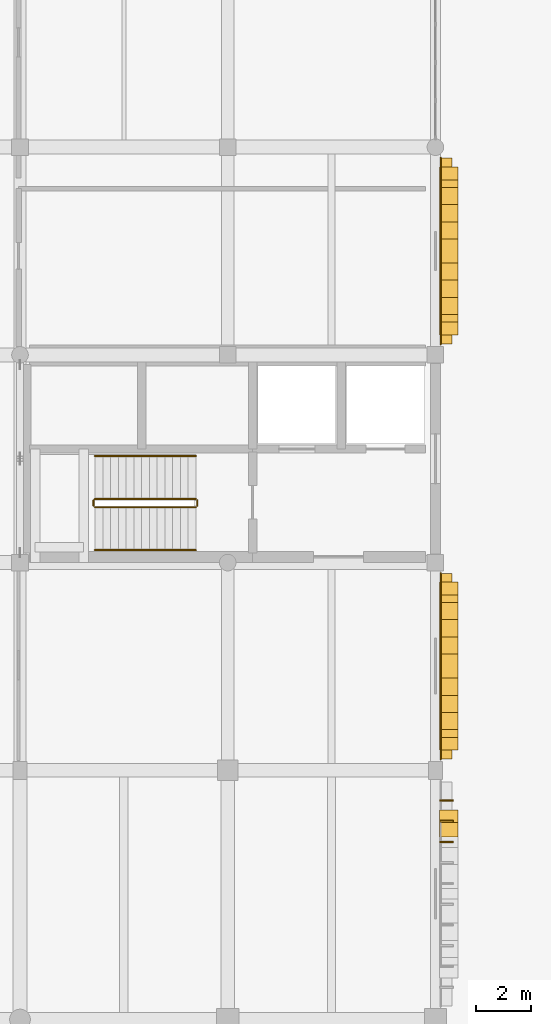
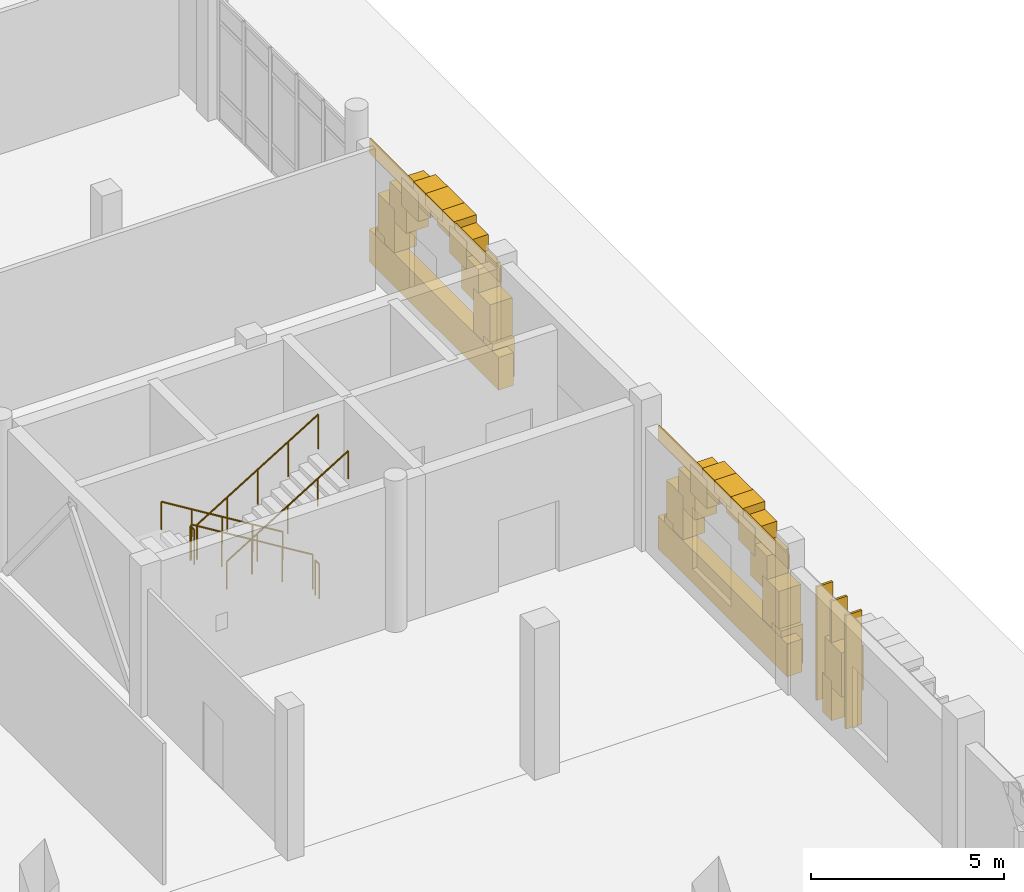
# One storey, part 121 of 125: 28 coverings, 6 railings, 3 shading devices.
"""IFC4 building model written with IfcOpenShell, lengths in metres."""

import ifcopenshell
import ifcopenshell.guid

model = None  # the IFC model being written
_history = None  # IfcOwnerHistory: only IFC2X3 demands one
_inside = {}  # id of a spatial element -> (the spatial element, [elements in it])
_under = {}  # id of a project, library or spatial element -> (it, [spatial elements below it])
_declared = {}  # id of a project -> (the project, [libraries it declares])
_typed = {}  # id of a type object -> (the type object, [elements of that type])
_made_of = {}  # id of a material, layer set ... -> (it, [elements and type objects made of it])


def new_model(schema):
    """Start an empty IFC model of exactly this schema.

    Asked for "IFC4X3", IfcOpenShell would pick the latest addendum, in which some entities
    have other attributes; the version numbers below select the first issue.
    IFC2X3 requires an IfcOwnerHistory on every rooted entity: one is made here for all.
    """
    global model, _history
    if schema == "IFC4X3":
        model = ifcopenshell.file(schema_version=(4, 3, 0, 0))
    else:
        model = ifcopenshell.file(schema=schema)
    _inside.clear()
    _under.clear()
    _declared.clear()
    _typed.clear()
    _made_of.clear()
    _history = None
    if model.schema == "IFC2X3":
        org = make("IfcOrganization", Name="unknown")
        user = make(
            "IfcPersonAndOrganization",
            ThePerson=make("IfcPerson", FamilyName="unknown"),
            TheOrganization=org,
        )
        app = make(
            "IfcApplication",
            ApplicationDeveloper=org,
            Version="unknown",
            ApplicationFullName="unknown",
            ApplicationIdentifier="unknown",
        )
        _history = make(
            "IfcOwnerHistory",
            OwningUser=user,
            OwningApplication=app,
            ChangeAction="ADDED",
            CreationDate=0,
        )
    return model


def make(cls, **values):
    """One entity of the class cls with the attributes given. An attribute that is None is left unset."""
    return model.create_entity(
        cls, **{name: value for name, value in values.items() if value is not None}
    )


def rooted(cls, **values):
    """An entity with a GlobalId (a new one), such as an element, a storey or a relation."""
    return make(cls, GlobalId=ifcopenshell.guid.new(), OwnerHistory=_history, **values)


def si_unit(unit_type, name, prefix=None):
    """IfcSIUnit, for example si_unit("LENGTHUNIT", "METRE", prefix="MILLI")."""
    return make("IfcSIUnit", UnitType=unit_type, Prefix=prefix, Name=name)


def assignment(units):
    """IfcUnitAssignment: the units of a project."""
    return None if units is None else make("IfcUnitAssignment", Units=units)


def point(xyz):
    """IfcCartesianPoint."""
    return None if xyz is None else make("IfcCartesianPoint", Coordinates=xyz)


def direction(xyz):
    """IfcDirection."""
    return None if xyz is None else make("IfcDirection", DirectionRatios=xyz)


def frame(location, z_axis=None, x_axis=None):
    """IfcAxis2Placement3D, a coordinate frame: its origin and axes. An axis left out is left unset."""
    return make(
        "IfcAxis2Placement3D",
        Location=point(location),
        Axis=direction(z_axis),
        RefDirection=direction(x_axis),
    )


def frame_2d(location, x_axis=None):
    """IfcAxis2Placement2D, a coordinate frame in the plane: its origin and x axis."""
    return make(
        "IfcAxis2Placement2D", Location=point(location), RefDirection=direction(x_axis)
    )


def origin():
    """The frame at (0, 0, 0) with its axes left unset."""
    return frame((0.0, 0.0, 0.0))


def origin_2d():
    """The frame at (0, 0) in the plane with its x axis left unset."""
    return frame_2d((0.0, 0.0))


def place(relative_to, where):
    """IfcLocalPlacement: puts the frame where relative to a parent placement (None: the world)."""
    return make(
        "IfcLocalPlacement", PlacementRelTo=relative_to, RelativePlacement=where
    )


def context(
    kind, dimensions, precision=None, world=None, true_north=None, identifier=None
):
    """IfcGeometricRepresentationContext, for example the 3D "Model" context."""
    return make(
        "IfcGeometricRepresentationContext",
        ContextIdentifier=identifier,
        ContextType=kind,
        CoordinateSpaceDimension=dimensions,
        Precision=precision,
        WorldCoordinateSystem=world,
        TrueNorth=true_north,
    )


def subcontext(parent, identifier, kind, view, scale=None):
    """IfcGeometricRepresentationSubContext, for example "Body" below "Model"."""
    return make(
        "IfcGeometricRepresentationSubContext",
        ContextIdentifier=identifier,
        ContextType=kind,
        ParentContext=parent,
        TargetScale=scale,
        TargetView=view,
    )


def project(units=None, contexts=None):
    """IfcProject with its units and contexts."""
    return rooted(
        "IfcProject",
        Name="project",
        RepresentationContexts=contexts,
        UnitsInContext=assignment(units),
    )


def spatial(cls, under=None, at=None, **own):
    """A site, building, storey or space (cls), placed at a placement, below another one or the project."""
    s = rooted(cls, ObjectPlacement=at, **own)
    if under is not None:
        _under.setdefault(under.id(), (under, []))[1].append(s)
    return s


def profile(cls, at=None, kind="AREA", **sizes):
    """A parametric profile (cls). Its sizes go by their IFC names, for example OverallWidth=200.0."""
    return make(cls, ProfileType=kind, Position=at, **sizes)


def rectangle(**sizes):
    """IfcRectangleProfileDef."""
    return profile("IfcRectangleProfileDef", **sizes)


def circle(**sizes):
    """IfcCircleProfileDef."""
    return profile("IfcCircleProfileDef", **sizes)


def extrude(swept, where, along, depth):
    """IfcExtrudedAreaSolid: the profile swept, set in the frame where, extruded along a direction by depth."""
    return make(
        "IfcExtrudedAreaSolid",
        SweptArea=swept,
        Position=where,
        ExtrudedDirection=direction(along),
        Depth=depth,
    )


def shape(context_of_items, identifier, shape_type, items):
    """IfcShapeRepresentation: the items that make up one representation, for example the "Body"."""
    return make(
        "IfcShapeRepresentation",
        ContextOfItems=context_of_items,
        RepresentationIdentifier=identifier,
        RepresentationType=shape_type,
        Items=items,
    )


def material(Name=None, Category=None):
    """IfcMaterial."""
    return make("IfcMaterial", Name=Name, Category=Category)


def layer(
    of_material, thickness, ventilated=None, Name=None, Category=None, Priority=None
):
    """IfcMaterialLayer: one layer of a wall or slab, of a material (None: an air gap)."""
    return make(
        "IfcMaterialLayer",
        Material=of_material,
        LayerThickness=thickness,
        IsVentilated=ventilated,
        Name=Name,
        Category=Category,
        Priority=Priority,
    )


def layer_set(layers, Name=None):
    """IfcMaterialLayerSet."""
    return make("IfcMaterialLayerSet", MaterialLayers=layers, LayerSetName=Name)


def made_of(thing, what):
    """Note that an element or type object is made of a material, layer set ...; save() writes the relation."""
    if what is not None:
        _made_of.setdefault(what.id(), (what, []))[1].append(thing)
    return thing


def type_object(cls, material=None, **own):
    """A type object (cls), such as IfcWallType, which elements share."""
    return made_of(rooted(cls, **own), material)


def element(
    cls,
    number,
    at=None,
    inside=None,
    cuts=None,
    type_object=None,
    material=None,
    context=None,
    identifier="Body",
    shape_type=None,
    held_by="IfcProductDefinitionShape",
    body=None,
    shapes=None,
    **own,
):
    """One element of the class cls, such as IfcWall. Its Tag is "e" and its number.

    at: its placement. inside: the storey or other place that contains it. cuts: it is an
    opening in that element (IfcRelVoidsElement). A single representation is given by context,
    identifier, shape_type and body (its items); several are given by shapes. held_by: the class
    of the entity that holds the representations. save() writes the other relations.
    """
    e = rooted(cls, Tag="e%d" % number, ObjectPlacement=at, **own)
    if body is not None:
        shapes = [shape(context, identifier, shape_type, body)]
    if shapes is not None:
        e.Representation = make(held_by, Representations=shapes)
    if inside is not None:
        _inside.setdefault(inside.id(), (inside, []))[1].append(e)
    if cuts is not None:
        rooted(
            "IfcRelVoidsElement", RelatingBuildingElement=cuts, RelatedOpeningElement=e
        )
    if type_object is not None:
        _typed.setdefault(type_object.id(), (type_object, []))[1].append(e)
    return made_of(e, material)


def aggregate(whole, parts):
    """IfcRelAggregates: a whole, such as a stair, and the parts it consists of."""
    return rooted("IfcRelAggregates", RelatingObject=whole, RelatedObjects=parts)


def save(model, path):
    """Write the relations noted so far, then the file.

    IfcRelAggregates (storeys below a building ...), IfcRelContainedInSpatialStructure (elements
    in a storey), IfcRelDefinesByType, IfcRelAssociatesMaterial and IfcRelDeclares: one each for
    every whole, place, type object, material and project.
    """
    for whole, parts in _under.values():
        aggregate(whole, parts)
    for where, things in _inside.values():
        rooted(
            "IfcRelContainedInSpatialStructure",
            RelatedElements=things,
            RelatingStructure=where,
        )
    for kind, things in _typed.values():
        rooted("IfcRelDefinesByType", RelatedObjects=things, RelatingType=kind)
    for what, things in _made_of.values():
        rooted("IfcRelAssociatesMaterial", RelatedObjects=things, RelatingMaterial=what)
    for by, libraries in _declared.values():
        rooted("IfcRelDeclares", RelatingContext=by, RelatedDefinitions=libraries)
    model.write(path)


model = new_model("IFC4")

# Units and contexts
model_context = context("Model", 3, precision=1e-05, world=origin(), true_north=direction((0.0, 1.0)))
body_context = subcontext(model_context, "Body", "Model", "MODEL_VIEW")
ifc_project = project(units=[si_unit("LENGTHUNIT", "METRE"), si_unit("AREAUNIT", "SQUARE_METRE"), si_unit("VOLUMEUNIT", "CUBIC_METRE"), si_unit("PLANEANGLEUNIT", "RADIAN"), si_unit("MASSUNIT", "GRAM", prefix="KILO")], contexts=[model_context])

# Site, building, storey
site_placement = place(None, origin())
site = spatial("IfcSite", under=ifc_project, at=site_placement, CompositionType="ELEMENT")
building_placement = place(site_placement, origin())
building = spatial("IfcBuilding", under=site, at=building_placement, Name="Dalvernix Boulevard General Hospital", CompositionType="ELEMENT")
storey_placement = place(building_placement, origin())
storey = spatial("IfcBuildingStorey", under=building, at=storey_placement, Name="L00", CompositionType="ELEMENT", Elevation=0.0)

# Coverings
ifc_material_1 = material(Name="Pressed Catalan clay brick and dressed limestone parabolic archivolt", Category="masonry")
ifc_layer_1 = layer(ifc_material_1, 0.419921875)
ifc_layer_set_1 = layer_set([ifc_layer_1], Name="Pressed Catalan clay brick and dressed limestone parabolic archivolt (COV-ARC-01)")
covering_type_1 = type_object("IfcCoveringType", Name="COV-ARC-01", PredefinedType="CLADDING", material=ifc_layer_set_1)
covering_1_placement = place(storey_placement, frame((172.985107421875, 29.83740234375, 0.0), z_axis=(0.0, 0.0, 1.0), x_axis=(0.0, -1.0, 0.0)))
element("IfcCovering", 1, at=covering_1_placement, inside=storey, type_object=covering_type_1, Name="L00 Catalan parabolic arch impost pier E 23-3-L", PredefinedType="CLADDING", context=body_context, shape_type="SweptSolid", body=[
    extrude(rectangle(XDim=0.4599609375, YDim=0.659912109375, at=origin_2d()), origin(), (0.0, 0.0, 1.0), 1.25),
])
covering_2_placement = place(storey_placement, frame((172.985107421875, 29.5263671875, 1.059814453125), z_axis=(0.0, 0.0, 1.0), x_axis=(0.0, -1.0, 0.0)))
element("IfcCovering", 2, at=covering_2_placement, inside=storey, type_object=covering_type_1, Name="L00 Catalan parabolic archivolt voussoir E 23-3-1", PredefinedType="CLADDING", context=body_context, shape_type="SweptSolid", body=[
    extrude(rectangle(XDim=0.8623046875, YDim=0.659912109375, at=origin_2d()), origin(), (0.0, 0.0, 1.0), 1.3994140625),
])
for number, where, z_axis, x_axis, name in (
    (3, (172.985107421875, 38.0625, 0.0), (0.0, 0.0, 1.0), (0.0, -1.0, 0.0), "L00 Catalan parabolic arch impost pier E 23-4-L"),
    (4, (172.985107421875, 32.46240234375, 0.0), (0.0, 0.0, 1.0), (0.0, -1.0, 0.0), "L00 Catalan parabolic arch impost pier E 23-4-R"),
):
    element("IfcCovering", number, at=place(storey_placement, frame(where, z_axis=z_axis, x_axis=x_axis)), inside=storey, type_object=covering_type_1, Name=name, PredefinedType="CLADDING", context=body_context, shape_type="SweptSolid", body=[
        extrude(rectangle(XDim=0.4599609375, YDim=0.659912109375, at=origin_2d()), origin(), (0.0, 0.0, 1.0), 1.25),
    ])
covering_3_placement = place(storey_placement, frame((172.985107421875, 37.75146484375, 1.06005859375), z_axis=(0.0, 0.0, 1.0), x_axis=(0.0, -1.0, 0.0)))
element("IfcCovering", 5, at=covering_3_placement, inside=storey, type_object=covering_type_1, Name="L00 Catalan parabolic archivolt voussoir E 23-4-1", PredefinedType="CLADDING", context=body_context, shape_type="SweptSolid", body=[
    extrude(rectangle(XDim=0.8623046875, YDim=0.659912109375, at=origin_2d()), origin(), (0.0, 0.0, 1.0), 1.37939453125),
])
covering_4_placement = place(storey_placement, frame((172.985107421875, 37.129150390625, 2.0595703125), z_axis=(0.0, 0.0, 1.0), x_axis=(0.0, -1.0, 0.0)))
element("IfcCovering", 6, at=covering_4_placement, inside=storey, type_object=covering_type_1, Name="L00 Catalan parabolic archivolt voussoir E 23-4-2", PredefinedType="CLADDING", context=body_context, shape_type="SweptSolid", body=[
    extrude(rectangle(XDim=0.8623046875, YDim=0.659912109375, at=origin_2d()), origin(), (0.0, 0.0, 1.0), 1.129638671875),
])
covering_5_placement = place(storey_placement, frame((172.985107421875, 36.5068359375, 2.80908203125), z_axis=(0.0, 0.0, 1.0), x_axis=(0.0, -1.0, 0.0)))
element("IfcCovering", 7, at=covering_5_placement, inside=storey, type_object=covering_type_1, Name="L00 Catalan parabolic archivolt voussoir E 23-4-3", PredefinedType="CLADDING", context=body_context, shape_type="SweptSolid", body=[
    extrude(rectangle(XDim=0.8623046875, YDim=0.659912109375, at=origin_2d()), origin(), (0.0, 0.0, 1.0), 0.8798828125),
])
covering_6_placement = place(storey_placement, frame((172.985107421875, 35.884765625, 3.308837890625), z_axis=(0.0, 0.0, 1.0), x_axis=(0.0, -1.0, 0.0)))
element("IfcCovering", 8, at=covering_6_placement, inside=storey, type_object=covering_type_1, Name="L00 Catalan parabolic archivolt voussoir E 23-4-4", PredefinedType="CLADDING", context=body_context, shape_type="SweptSolid", body=[
    extrude(rectangle(XDim=0.8623046875, YDim=0.659912109375, at=origin_2d()), origin(), (0.0, 0.0, 1.0), 0.6298828125),
])
covering_7_placement = place(storey_placement, frame((172.985107421875, 35.262451171875, 3.558837890625), z_axis=(0.0, 0.0, 1.0), x_axis=(0.0, -1.0, 0.0)))
element("IfcCovering", 9, at=covering_7_placement, inside=storey, type_object=covering_type_1, Name="L00 Catalan parabolic archivolt voussoir E 23-4-5", PredefinedType="CLADDING", context=body_context, shape_type="SweptSolid", body=[
    extrude(rectangle(XDim=0.8623046875, YDim=0.659912109375, at=origin_2d()), origin(), (0.0, 0.0, 1.0), 0.3798828125),
])
covering_8_placement = place(storey_placement, frame((172.985107421875, 34.640380859375, 3.308837890625), z_axis=(0.0, 0.0, 1.0), x_axis=(0.0, -1.0, 0.0)))
element("IfcCovering", 10, at=covering_8_placement, inside=storey, type_object=covering_type_1, Name="L00 Catalan parabolic archivolt voussoir E 23-4-6", PredefinedType="CLADDING", context=body_context, shape_type="SweptSolid", body=[
    extrude(rectangle(XDim=0.8623046875, YDim=0.659912109375, at=origin_2d()), origin(), (0.0, 0.0, 1.0), 0.6298828125),
])
covering_9_placement = place(storey_placement, frame((172.985107421875, 34.01806640625, 2.80908203125), z_axis=(0.0, 0.0, 1.0), x_axis=(0.0, -1.0, 0.0)))
element("IfcCovering", 11, at=covering_9_placement, inside=storey, type_object=covering_type_1, Name="L00 Catalan parabolic archivolt voussoir E 23-4-7", PredefinedType="CLADDING", context=body_context, shape_type="SweptSolid", body=[
    extrude(rectangle(XDim=0.8623046875, YDim=0.659912109375, at=origin_2d()), origin(), (0.0, 0.0, 1.0), 0.8798828125),
])
covering_10_placement = place(storey_placement, frame((172.985107421875, 33.395751953125, 2.0595703125), z_axis=(0.0, 0.0, 1.0), x_axis=(0.0, -1.0, 0.0)))
element("IfcCovering", 12, at=covering_10_placement, inside=storey, type_object=covering_type_1, Name="L00 Catalan parabolic archivolt voussoir E 23-4-8", PredefinedType="CLADDING", context=body_context, shape_type="SweptSolid", body=[
    extrude(rectangle(XDim=0.8623046875, YDim=0.659912109375, at=origin_2d()), origin(), (0.0, 0.0, 1.0), 1.129638671875),
])
covering_11_placement = place(storey_placement, frame((172.985107421875, 32.773681640625, 1.06005859375), z_axis=(0.0, 0.0, 1.0), x_axis=(0.0, -1.0, 0.0)))
element("IfcCovering", 13, at=covering_11_placement, inside=storey, type_object=covering_type_1, Name="L00 Catalan parabolic archivolt voussoir E 23-4-9", PredefinedType="CLADDING", context=body_context, shape_type="SweptSolid", body=[
    extrude(rectangle(XDim=0.8623046875, YDim=0.659912109375, at=origin_2d()), origin(), (0.0, 0.0, 1.0), 1.37939453125),
])
for number, where, z_axis, x_axis, name in (
    (14, (172.985107421875, 53.050048828125, 0.0), (0.0, 0.0, 1.0), (0.0, -1.0, 0.0), "L00 Catalan parabolic arch impost pier E 23-6-L"),
    (15, (172.985107421875, 47.449951171875, 0.0), (0.0, 0.0, 1.0), (0.0, -1.0, 0.0), "L00 Catalan parabolic arch impost pier E 23-6-R"),
):
    element("IfcCovering", number, at=place(storey_placement, frame(where, z_axis=z_axis, x_axis=x_axis)), inside=storey, type_object=covering_type_1, Name=name, PredefinedType="CLADDING", context=body_context, shape_type="SweptSolid", body=[
        extrude(rectangle(XDim=0.4599609375, YDim=0.659912109375, at=origin_2d()), origin(), (0.0, 0.0, 1.0), 1.25),
    ])
covering_12_placement = place(storey_placement, frame((172.985107421875, 52.739013671875, 1.06005859375), z_axis=(0.0, 0.0, 1.0), x_axis=(0.0, -1.0, 0.0)))
element("IfcCovering", 16, at=covering_12_placement, inside=storey, type_object=covering_type_1, Name="L00 Catalan parabolic archivolt voussoir E 23-6-1", PredefinedType="CLADDING", context=body_context, shape_type="SweptSolid", body=[
    extrude(rectangle(XDim=0.8623046875, YDim=0.659912109375, at=origin_2d()), origin(), (0.0, 0.0, 1.0), 1.37939453125),
])
covering_13_placement = place(storey_placement, frame((172.985107421875, 52.11669921875, 2.0595703125), z_axis=(0.0, 0.0, 1.0), x_axis=(0.0, -1.0, 0.0)))
element("IfcCovering", 17, at=covering_13_placement, inside=storey, type_object=covering_type_1, Name="L00 Catalan parabolic archivolt voussoir E 23-6-2", PredefinedType="CLADDING", context=body_context, shape_type="SweptSolid", body=[
    extrude(rectangle(XDim=0.8623046875, YDim=0.659912109375, at=origin_2d()), origin(), (0.0, 0.0, 1.0), 1.129638671875),
])
covering_14_placement = place(storey_placement, frame((172.985107421875, 51.494384765625, 2.80908203125), z_axis=(0.0, 0.0, 1.0), x_axis=(0.0, -1.0, 0.0)))
element("IfcCovering", 18, at=covering_14_placement, inside=storey, type_object=covering_type_1, Name="L00 Catalan parabolic archivolt voussoir E 23-6-3", PredefinedType="CLADDING", context=body_context, shape_type="SweptSolid", body=[
    extrude(rectangle(XDim=0.8623046875, YDim=0.659912109375, at=origin_2d()), origin(), (0.0, 0.0, 1.0), 0.8798828125),
])
covering_15_placement = place(storey_placement, frame((172.985107421875, 50.872314453125, 3.308837890625), z_axis=(0.0, 0.0, 1.0), x_axis=(0.0, -1.0, 0.0)))
element("IfcCovering", 19, at=covering_15_placement, inside=storey, type_object=covering_type_1, Name="L00 Catalan parabolic archivolt voussoir E 23-6-4", PredefinedType="CLADDING", context=body_context, shape_type="SweptSolid", body=[
    extrude(rectangle(XDim=0.8623046875, YDim=0.659912109375, at=origin_2d()), origin(), (0.0, 0.0, 1.0), 0.6298828125),
])
covering_16_placement = place(storey_placement, frame((172.985107421875, 50.25, 3.558837890625), z_axis=(0.0, 0.0, 1.0), x_axis=(0.0, -1.0, 0.0)))
element("IfcCovering", 20, at=covering_16_placement, inside=storey, type_object=covering_type_1, Name="L00 Catalan parabolic archivolt voussoir E 23-6-5", PredefinedType="CLADDING", context=body_context, shape_type="SweptSolid", body=[
    extrude(rectangle(XDim=0.8623046875, YDim=0.659912109375, at=origin_2d()), origin(), (0.0, 0.0, 1.0), 0.3798828125),
])
covering_17_placement = place(storey_placement, frame((172.985107421875, 49.627685546875, 3.308837890625), z_axis=(0.0, 0.0, 1.0), x_axis=(0.0, -1.0, 0.0)))
element("IfcCovering", 21, at=covering_17_placement, inside=storey, type_object=covering_type_1, Name="L00 Catalan parabolic archivolt voussoir E 23-6-6", PredefinedType="CLADDING", context=body_context, shape_type="SweptSolid", body=[
    extrude(rectangle(XDim=0.8623046875, YDim=0.659912109375, at=origin_2d()), origin(), (0.0, 0.0, 1.0), 0.6298828125),
])
covering_18_placement = place(storey_placement, frame((172.985107421875, 49.005615234375, 2.80908203125), z_axis=(0.0, 0.0, 1.0), x_axis=(0.0, -1.0, 0.0)))
element("IfcCovering", 22, at=covering_18_placement, inside=storey, type_object=covering_type_1, Name="L00 Catalan parabolic archivolt voussoir E 23-6-7", PredefinedType="CLADDING", context=body_context, shape_type="SweptSolid", body=[
    extrude(rectangle(XDim=0.8623046875, YDim=0.659912109375, at=origin_2d()), origin(), (0.0, 0.0, 1.0), 0.8798828125),
])
covering_19_placement = place(storey_placement, frame((172.985107421875, 48.38330078125, 2.0595703125), z_axis=(0.0, 0.0, 1.0), x_axis=(0.0, -1.0, 0.0)))
element("IfcCovering", 23, at=covering_19_placement, inside=storey, type_object=covering_type_1, Name="L00 Catalan parabolic archivolt voussoir E 23-6-8", PredefinedType="CLADDING", context=body_context, shape_type="SweptSolid", body=[
    extrude(rectangle(XDim=0.8623046875, YDim=0.659912109375, at=origin_2d()), origin(), (0.0, 0.0, 1.0), 1.129638671875),
])
covering_20_placement = place(storey_placement, frame((172.985107421875, 47.760986328125, 1.06005859375), z_axis=(0.0, 0.0, 1.0), x_axis=(0.0, -1.0, 0.0)))
element("IfcCovering", 24, at=covering_20_placement, inside=storey, type_object=covering_type_1, Name="L00 Catalan parabolic archivolt voussoir E 23-6-9", PredefinedType="CLADDING", context=body_context, shape_type="SweptSolid", body=[
    extrude(rectangle(XDim=0.8623046875, YDim=0.659912109375, at=origin_2d()), origin(), (0.0, 0.0, 1.0), 1.37939453125),
])
ifc_material_2 = material(Name="Polychrome Catalan glazed ceramic spandrel tile panel")
ifc_layer_2 = layer(ifc_material_2, 0.044921875)
ifc_layer_set_2 = layer_set([ifc_layer_2], Name="Polychrome Catalan glazed ceramic spandrel tile panel (COV-CLD-01)")
covering_type_2 = type_object("IfcCoveringType", Name="COV-CLD-01", PredefinedType="CLADDING", material=ifc_layer_set_2)
covering_21_placement = place(storey_placement, frame((172.695068359375, 35.262451171875, 3.4248046875), z_axis=(0.0, 0.0, 1.0), x_axis=(0.0, -1.0, 0.0)))
element("IfcCovering", 25, at=covering_21_placement, inside=storey, type_object=covering_type_2, Name="L00 polychrome ceramic spandrel E 23-4", PredefinedType="CLADDING", context=body_context, shape_type="SweptSolid", body=[
    extrude(rectangle(XDim=6.7548828125, YDim=0.044921875, at=origin_2d()), origin(), (0.0, 0.0, 1.0), 0.449951171875),
])
covering_22_placement = place(storey_placement, frame((172.695068359375, 50.25, 3.4248046875), z_axis=(0.0, 0.0, 1.0), x_axis=(0.0, -1.0, 0.0)))
element("IfcCovering", 26, at=covering_22_placement, inside=storey, type_object=covering_type_2, Name="L00 polychrome ceramic spandrel E 23-6", PredefinedType="CLADDING", context=body_context, shape_type="SweptSolid", body=[
    extrude(rectangle(XDim=6.780029296875, YDim=0.044921875, at=origin_2d()), origin(), (0.0, 0.0, 1.0), 0.449951171875),
])
ifc_material_3 = material(Name="Dressed ochre limestone classical plinth, stringcourse and corbelled cornice", Category="masonry")
ifc_layer_3 = layer(ifc_material_3, 0.449951171875)
ifc_layer_set_3 = layer_set([ifc_layer_3], Name="Dressed ochre limestone classical plinth, stringcourse and corbelled cornice (COV-CRN-01)")
covering_type_3 = type_object("IfcCoveringType", Name="COV-CRN-01", PredefinedType="CLADDING", material=ifc_layer_set_3)
covering_23_placement = place(storey_placement, frame((172.875, 35.262451171875, 0.0), z_axis=(0.0, 0.0, 1.0), x_axis=(0.0, -1.0, 0.0)))
element("IfcCovering", 27, at=covering_23_placement, inside=storey, type_object=covering_type_3, Name="L00 rusticated limestone classical plinth E 23-4", PredefinedType="CLADDING", context=body_context, shape_type="SweptSolid", body=[
    extrude(rectangle(XDim=6.695068359375, YDim=0.43994140625, at=origin_2d()), origin(), (0.0, 0.0, 1.0), 1.0400390625),
])
covering_24_placement = place(storey_placement, frame((172.875, 50.25, 0.0), z_axis=(0.0, 0.0, 1.0), x_axis=(0.0, -1.0, 0.0)))
element("IfcCovering", 28, at=covering_24_placement, inside=storey, type_object=covering_type_3, Name="L00 rusticated limestone classical plinth E 23-6", PredefinedType="CLADDING", context=body_context, shape_type="SweptSolid", body=[
    extrude(rectangle(XDim=6.719970703125, YDim=0.43994140625, at=origin_2d()), origin(), (0.0, 0.0, 1.0), 1.0400390625),
])

# Railings
ifc_material_4 = material(Name="Brushed stainless steel balustrade", Category="steel")
railing_type_1 = type_object("IfcRailingType", Name="RL-GR-INT1", PredefinedType="BALUSTRADE", material=ifc_material_4)
railing_1_placement = place(storey_placement, frame((163.85009765625, 41.300048828125, 0.17138671875)))
element("IfcRailing", 29, at=railing_1_placement, inside=storey, type_object=railing_type_1, Name="L00 ST-06 stair guard 1", PredefinedType="BALUSTRADE", context=body_context, shape_type="SweptSolid", body=[
    extrude(circle(Radius=0.02392578125, at=origin_2d()), frame((0.0, 0.0, 1.09619140625), z_axis=(-0.852865859571, 0.0, 0.52213008492), x_axis=(0.0, -1.0, 0.0)), (0.0, 0.0, 1.0), 4.26806640625),
    extrude(circle(Radius=0.02099609375, at=origin_2d()), origin(), (0.0, 0.0, 1.0), 1.072021484375),
    extrude(circle(Radius=0.02099609375, at=origin_2d()), frame((-0.91015625, 0.0, 0.55712890625)), (0.0, 0.0, 1.0), 1.072021484375),
    extrude(circle(Radius=0.02099609375, at=origin_2d()), frame((-1.820068359375, 0.0, 1.1142578125)), (0.0, 0.0, 1.0), 1.072021484375),
    extrude(circle(Radius=0.02099609375, at=origin_2d()), frame((-2.72998046875, 0.0, 1.67138671875)), (0.0, 0.0, 1.0), 1.072021484375),
    extrude(circle(Radius=0.02099609375, at=origin_2d()), frame((-3.64013671875, 0.0, 2.228515625)), (0.0, 0.0, 1.0), 1.072021484375),
])
railing_2_placement = place(storey_placement, frame((160.159912109375, 41.25, 2.39990234375)))
element("IfcRailing", 30, at=railing_2_placement, inside=storey, type_object=railing_type_1, Name="L00 ST-06 stair guard 2", PredefinedType="BALUSTRADE", context=body_context, shape_type="SweptSolid", body=[
    extrude(circle(Radius=0.02392578125, at=origin_2d()), frame((0.0, 0.0, 1.09619140625), z_axis=(0.0, -1.0, 0.0), x_axis=(1.0, 0.0, 0.0)), (0.0, 0.0, 1.0), 0.199951171875),
    extrude(circle(Radius=0.02099609375, at=origin_2d()), origin(), (0.0, 0.0, 1.0), 1.072021484375),
    extrude(circle(Radius=0.02099609375, at=origin_2d()), frame((0.0, -0.199951171875, 0.0)), (0.0, 0.0, 1.0), 1.072021484375),
])
railing_3_placement = place(storey_placement, frame((160.2099609375, 41.0, 2.571533203125)))
element("IfcRailing", 31, at=railing_3_placement, inside=storey, type_object=railing_type_1, Name="L00 ST-06 stair guard 3", PredefinedType="BALUSTRADE", context=body_context, shape_type="SweptSolid", body=[
    extrude(circle(Radius=0.02392578125, at=origin_2d()), frame((0.0, 0.0, 1.09619140625), z_axis=(0.852865859571, 0.0, 0.52213008492), x_axis=(0.0, 1.0, 0.0)), (0.0, 0.0, 1.0), 4.26806640625),
    extrude(circle(Radius=0.02099609375, at=origin_2d()), origin(), (0.0, 0.0, 1.0), 1.072021484375),
    extrude(circle(Radius=0.02099609375, at=origin_2d()), frame((0.91015625, 0.0, 0.55712890625)), (0.0, 0.0, 1.0), 1.072021484375),
    extrude(circle(Radius=0.02099609375, at=origin_2d()), frame((1.820068359375, 0.0, 1.1142578125)), (0.0, 0.0, 1.0), 1.072021484375),
    extrude(circle(Radius=0.02099609375, at=origin_2d()), frame((2.72998046875, 0.0, 1.67138671875)), (0.0, 0.0, 1.0), 1.072021484375),
    extrude(circle(Radius=0.02099609375, at=origin_2d()), frame((3.64013671875, 0.0, 2.228515625)), (0.0, 0.0, 1.0), 1.072021484375),
])
railing_4_placement = place(storey_placement, frame((163.89990234375, 41.25, 0.0)))
element("IfcRailing", 32, at=railing_4_placement, inside=storey, type_object=railing_type_1, Name="L00 ST-06 stair guard 4", PredefinedType="BALUSTRADE", context=body_context, shape_type="SweptSolid", body=[
    extrude(circle(Radius=0.02392578125, at=origin_2d()), frame((0.0, 0.0, 1.09619140625), z_axis=(0.0, -1.0, 0.0), x_axis=(1.0, 0.0, 0.0)), (0.0, 0.0, 1.0), 0.199951171875),
    extrude(circle(Radius=0.02099609375, at=origin_2d()), origin(), (0.0, 0.0, 1.0), 1.072021484375),
    extrude(circle(Radius=0.02099609375, at=origin_2d()), frame((0.0, -0.199951171875, 0.0)), (0.0, 0.0, 1.0), 1.072021484375),
])
ifc_material_5 = material(Name="Brushed stainless steel wall handrail", Category="steel")
railing_type_2 = type_object("IfcRailingType", Name="RL-HR-INT1", PredefinedType="HANDRAIL", material=ifc_material_5)
railing_5_placement = place(storey_placement, frame((163.85009765625, 42.85009765625, 0.17138671875)))
element("IfcRailing", 33, at=railing_5_placement, inside=storey, type_object=railing_type_2, Name="L00 ST-06 stair handrail 1", PredefinedType="HANDRAIL", context=body_context, shape_type="SweptSolid", body=[
    extrude(circle(Radius=0.02392578125, at=origin_2d()), frame((0.0, 0.0, 0.8759765625), z_axis=(-0.852865859571, 0.0, 0.52213008492), x_axis=(0.0, -1.0, 0.0)), (0.0, 0.0, 1.0), 4.26806640625),
    extrude(circle(Radius=0.02099609375, at=origin_2d()), origin(), (0.0, 0.0, 1.0), 0.851806640625),
    extrude(circle(Radius=0.02099609375, at=origin_2d()), frame((-0.91015625, 0.0, 0.55712890625)), (0.0, 0.0, 1.0), 0.851806640625),
    extrude(circle(Radius=0.02099609375, at=origin_2d()), frame((-1.820068359375, 0.0, 1.1142578125)), (0.0, 0.0, 1.0), 0.851806640625),
    extrude(circle(Radius=0.02099609375, at=origin_2d()), frame((-2.72998046875, 0.0, 1.67138671875)), (0.0, 0.0, 1.0), 0.851806640625),
    extrude(circle(Radius=0.02099609375, at=origin_2d()), frame((-3.64013671875, 0.0, 2.228515625)), (0.0, 0.0, 1.0), 0.851806640625),
])
railing_6_placement = place(storey_placement, frame((160.2099609375, 39.449951171875, 2.571533203125)))
element("IfcRailing", 34, at=railing_6_placement, inside=storey, type_object=railing_type_2, Name="L00 ST-06 stair handrail 2", PredefinedType="HANDRAIL", context=body_context, shape_type="SweptSolid", body=[
    extrude(circle(Radius=0.02392578125, at=origin_2d()), frame((0.0, 0.0, 0.8759765625), z_axis=(0.852865859571, 0.0, 0.52213008492), x_axis=(0.0, 1.0, 0.0)), (0.0, 0.0, 1.0), 4.26806640625),
    extrude(circle(Radius=0.02099609375, at=origin_2d()), origin(), (0.0, 0.0, 1.0), 0.851806640625),
    extrude(circle(Radius=0.02099609375, at=origin_2d()), frame((0.91015625, 0.0, 0.55712890625)), (0.0, 0.0, 1.0), 0.851806640625),
    extrude(circle(Radius=0.02099609375, at=origin_2d()), frame((1.820068359375, 0.0, 1.1142578125)), (0.0, 0.0, 1.0), 0.851806640625),
    extrude(circle(Radius=0.02099609375, at=origin_2d()), frame((2.72998046875, 0.0, 1.67138671875)), (0.0, 0.0, 1.0), 0.851806640625),
    extrude(circle(Radius=0.02099609375, at=origin_2d()), frame((3.64013671875, 0.0, 2.228515625)), (0.0, 0.0, 1.0), 0.851806640625),
])

# Shading devices
ifc_material_6 = material(Name="Preservative-treated West African iroko timber", Category="wood")
shading_device_type = type_object("IfcShadingDeviceType", Name="SHD-FIN-01", PredefinedType="USERDEFINED", material=ifc_material_6)
for number, where, z_axis, x_axis, name in (
    (35, (172.905029296875, 30.41259765625, 0.175048828125), (0.0, 0.0, 1.0), (0.0, -1.0, 0.0), "L00 iroko brise-soleil fin 1"),
    (36, (172.905029296875, 29.66259765625, 0.175048828125), (0.0, 0.0, 1.0), (0.0, -1.0, 0.0), "L00 iroko brise-soleil fin 2"),
    (37, (172.905029296875, 28.91259765625, 0.175048828125), (0.0, 0.0, 1.0), (0.0, -1.0, 0.0), "L00 iroko brise-soleil fin 3"),
):
    element("IfcShadingDevice", number, at=place(storey_placement, frame(where, z_axis=z_axis, x_axis=x_axis)), inside=storey, type_object=shading_device_type, Name=name, ObjectType="FIN", PredefinedType="USERDEFINED", context=body_context, shape_type="SweptSolid", body=[
        extrude(rectangle(XDim=0.06494140625, YDim=0.47998046875, at=origin_2d()), origin(), (0.0, 0.0, 1.0), 3.60009765625),
    ])

save(model, "model.ifc")
